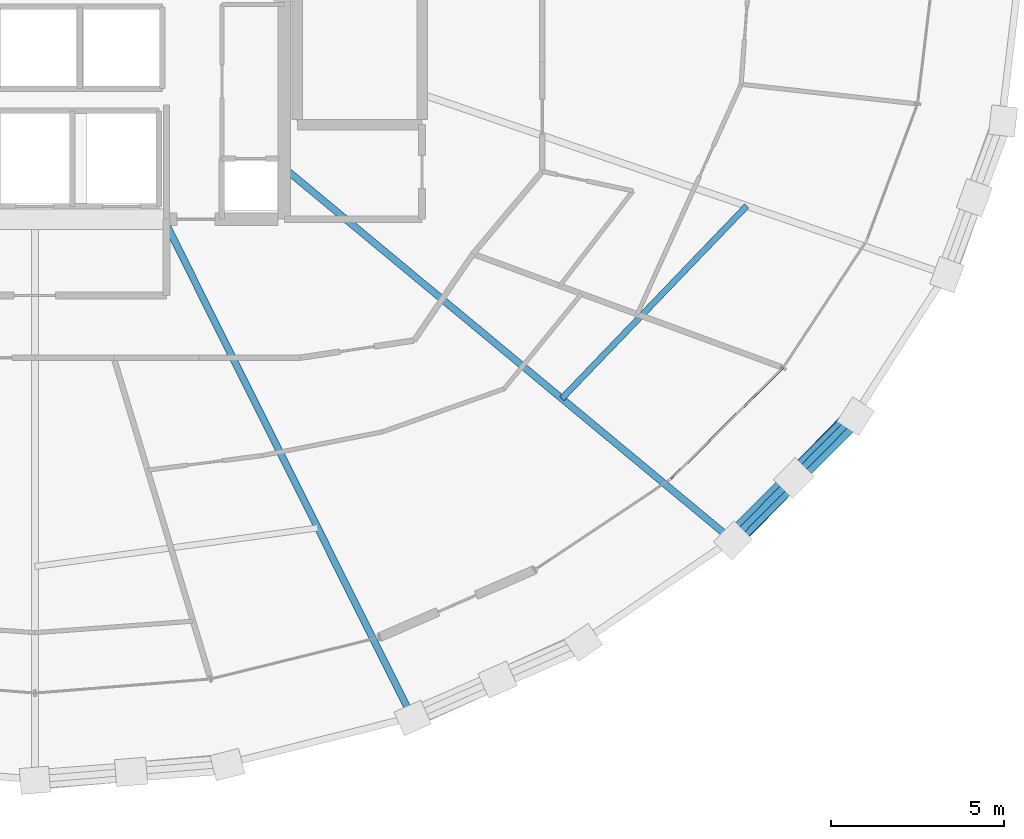
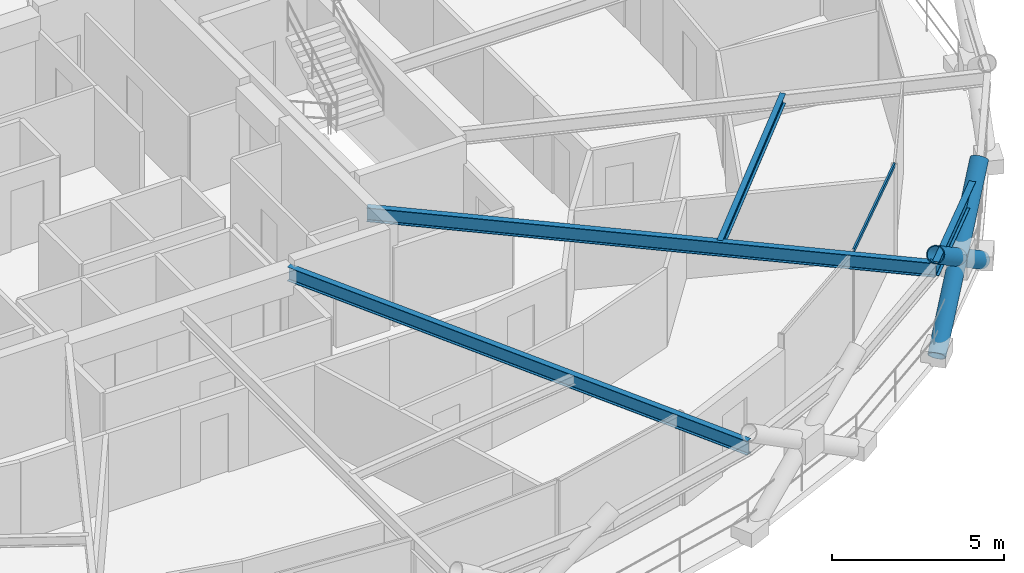
# One storey, part 6 of 21: 4 beams, 4 members, 1 element without a shape of its own.
"""IFC4 building model written with IfcOpenShell, lengths in metres."""

from ifc_helpers import new_model, si_unit, direction, frame, origin, origin_2d, place, context, subcontext, project, spatial, hollow_rectangle, hollow_circle, i_section, extrude, material, layer, layer_set, material_profile, profile_set, type_object, element, aggregate, save


model = new_model("IFC4")

# Units and contexts
model_context = context("Model", 3, precision=1e-05, world=origin(), true_north=direction((0.0, 1.0)))
body_context = subcontext(model_context, "Body", "Model", "MODEL_VIEW")
ifc_project = project(units=[si_unit("LENGTHUNIT", "METRE"), si_unit("AREAUNIT", "SQUARE_METRE"), si_unit("VOLUMEUNIT", "CUBIC_METRE"), si_unit("PLANEANGLEUNIT", "RADIAN"), si_unit("MASSUNIT", "GRAM", prefix="KILO")], contexts=[model_context])

# Site, building, storey
site_placement = place(None, origin())
site = spatial("IfcSite", under=ifc_project, at=site_placement, CompositionType="ELEMENT")
building_placement = place(site_placement, origin())
building = spatial("IfcBuilding", under=site, at=building_placement, Name="Veldorina Hangang Commons", CompositionType="ELEMENT")
storey_placement = place(building_placement, frame((0.0, 0.0, 135.199951171875)))
storey = spatial("IfcBuildingStorey", under=building, at=storey_placement, Name="L34", CompositionType="ELEMENT", Elevation=135.199951171875)

# Beams
ifc_material_1 = material(Name="Steel SM420-TMC", Category="steel")
ifc_material_profile_1 = material_profile(ifc_material_1, i_section(OverallWidth=0.199951171875, OverallDepth=0.5, WebThickness=0.010009765625, FlangeThickness=0.01611328125, FilletRadius=0.01611328125, at=origin_2d()), Name="H-500x200x10x16")
ifc_profile_set_1 = profile_set([ifc_material_profile_1], Name="Steel SM420-TMC")
beam_type_1 = type_object("IfcBeamType", Name="BM-FG500", PredefinedType="BEAM", material=ifc_profile_set_1)
beam_1_placement = place(storey_placement, frame((35.718017578125, 16.550048828125, 3.10009765625), z_axis=(0.44653882816, -0.894764256631, 0.0), x_axis=(0.894764256631, 0.44653882816, 0.0)))
element("IfcBeam", 1, at=beam_1_placement, inside=storey, type_object=beam_type_1, Name="L34 radial floor girder 14", PredefinedType="BEAM", context=body_context, shape_type="SweptSolid", body=[
    extrude(i_section(OverallWidth=0.199951171875, OverallDepth=0.5, WebThickness=0.010009765625, FlangeThickness=0.01611328125, FilletRadius=0.01611328125, at=origin_2d()), origin(), (0.0, 0.0, 1.0), 16.067626953125),
])
beam_2_placement = place(storey_placement, frame((39.199951171875, 18.024169921875, 3.10009765625), z_axis=(0.769484803772, -0.638665120986, 0.0), x_axis=(0.638665120986, 0.769484803772, 0.0)))
element("IfcBeam", 2, at=beam_2_placement, inside=storey, type_object=beam_type_1, Name="L34 radial floor girder 15", PredefinedType="BEAM", context=body_context, shape_type="SweptSolid", body=[
    extrude(i_section(OverallWidth=0.199951171875, OverallDepth=0.5, WebThickness=0.010009765625, FlangeThickness=0.01611328125, FilletRadius=0.01611328125, at=origin_2d()), origin(), (0.0, 0.0, 1.0), 16.7998046875),
])
ifc_material_2 = material(Name="Steel SM355-TMC", Category="steel")
ifc_material_profile_2 = material_profile(ifc_material_2, i_section(OverallWidth=0.175048828125, OverallDepth=0.35009765625, WebThickness=0.007080078125, FlangeThickness=0.010986328125, FilletRadius=0.012939453125, at=origin_2d()), Name="H-350x175x7x11")
ifc_profile_set_2 = profile_set([ifc_material_profile_2], Name="Steel SM355-TMC")
beam_type_2 = type_object("IfcBeamType", Name="BM-JST350", PredefinedType="JOIST", material=ifc_profile_set_2)
beam_3_placement = place(storey_placement, frame((47.21484375, 11.371826171875, 3.175048828125), z_axis=(0.69240524806, 0.721508816619, 0.0), x_axis=(-0.721508816619, 0.69240524806, 0.0)))
element("IfcBeam", 3, at=beam_3_placement, inside=storey, type_object=beam_type_2, Name="L34 secondary floor joist 15", PredefinedType="JOIST", context=body_context, shape_type="SweptSolid", body=[
    extrude(i_section(OverallWidth=0.175048828125, OverallDepth=0.35009765625, WebThickness=0.007080078125, FlangeThickness=0.010986328125, FilletRadius=0.012939453125, at=origin_2d()), origin(), (0.0, 0.0, 1.0), 7.709228515625),
])
ifc_material_profile_3 = material_profile(ifc_material_1, i_section(OverallWidth=0.199951171875, OverallDepth=0.5, WebThickness=0.010009765625, FlangeThickness=0.01611328125, FilletRadius=0.01611328125, at=origin_2d()), Name="H-500x200x10x16")
ifc_profile_set_3 = profile_set([ifc_material_profile_3], Name="Steel SM420-TMC")
beam_type_3 = type_object("IfcBeamType", Name="BM-RB500", PredefinedType="BEAM", material=ifc_profile_set_3)
beam_4_placement = place(storey_placement, frame((52.127197265625, 7.294677734375, 3.10009765625), z_axis=(0.703119340183, 0.711071862375, 0.0), x_axis=(-0.711071862375, 0.703119340183, 0.0)))
element("IfcBeam", 4, at=beam_4_placement, inside=storey, type_object=beam_type_3, Name="L34 perimeter hoop ring beam 28", PredefinedType="BEAM", context=body_context, shape_type="SweptSolid", body=[
    extrude(i_section(OverallWidth=0.199951171875, OverallDepth=0.5, WebThickness=0.010009765625, FlangeThickness=0.01611328125, FilletRadius=0.01611328125, at=origin_2d()), origin(), (0.0, 0.0, 1.0), 5.03466796875),
])

# Curtain wall, member
ifc_material_3 = material(Name="Glass Low-E Triple IGU", Category="glass")
ifc_layer = layer(ifc_material_3, 0.179931640625)
ifc_layer_set = layer_set([ifc_layer], Name="Glass Low-E Triple IGU")
curtain_wall_type = type_object("IfcCurtainWallType", Name="CW-SYS-Z2", PredefinedType="NOTDEFINED", material=ifc_layer_set)
curtain_wall_placement = place(storey_placement, origin())
curtain_wall = element("IfcCurtainWall", 5, at=curtain_wall_placement, inside=storey, type_object=curtain_wall_type, Name="L34 unitised curtain wall CW-L34-R2", PredefinedType="NOTDEFINED")
ifc_material_4 = material(Name="Aluminium Anodized AA6063-T6", Category="aluminium")
ifc_material_profile_4 = material_profile(ifc_material_4, hollow_rectangle(XDim=0.06005859375, YDim=0.139892578125, WallThickness=0.00341796875, at=origin_2d()), Name="ALU-RHS-140x60x3.5")
ifc_profile_set_4 = profile_set([ifc_material_profile_4], Name="Aluminium Anodized AA6063-T6")
member_type_1 = type_object("IfcMemberType", Name="CW-TRN-140", PredefinedType="USERDEFINED", material=ifc_profile_set_4)
member_1_placement = place(storey_placement, frame((50.37158203125, 9.05810546875, 3.27001953125), z_axis=(0.71029280269, 0.703906339258, 0.0), x_axis=(-0.703906339258, 0.71029280269, 0.0)))
member_1 = element("IfcMember", 6, at=member_1_placement, type_object=member_type_1, Name="CW-L34-R2 facet 2 transom 1", ObjectType="TRANSOM", PredefinedType="USERDEFINED", context=body_context, shape_type="SweptSolid", body=[
    extrude(hollow_rectangle(XDim=0.06005859375, YDim=0.139892578125, WallThickness=0.00341796875, at=origin_2d()), origin(), (0.0, 0.0, 1.0), 4.549072265625),
])
aggregate(curtain_wall, [member_1])

# Members
ifc_material_profile_5 = material_profile(ifc_material_1, hollow_circle(Radius=0.27490234375, WallThickness=0.028076171875, at=origin_2d()), Name="CHS-550x28")
ifc_profile_set_5 = profile_set([ifc_material_profile_5], Name="Steel SM420-TMC")
member_type_2 = type_object("IfcMemberType", Name="DG-CHS550", PredefinedType="BRACE", material=ifc_profile_set_5)
member_2_placement = place(storey_placement, frame((52.153564453125, 7.2763671875, 0.0), z_axis=(0.567410770104, 0.582295876243, 0.582216910163), x_axis=(-0.716201580119, 0.697893470836, 0.0)))
element("IfcMember", 7, at=member_2_placement, inside=storey, type_object=member_type_2, Name="L34 continuous perimeter diagrid brace 28", PredefinedType="BRACE", context=body_context, shape_type="SweptSolid", body=[
    extrude(hollow_circle(Radius=0.27490234375, WallThickness=0.028076171875, at=origin_2d()), origin(), (0.0, 0.0, 1.0), 6.183349609375),
])
member_3_placement = place(storey_placement, frame((55.697998046875, 10.8603515625, 0.0), z_axis=(-0.576688886735, -0.574642495162, 0.580702962513), x_axis=(0.705848845317, -0.708362483172, 0.0)))
element("IfcMember", 8, at=member_3_placement, inside=storey, type_object=member_type_2, Name="L34 split perimeter diagrid lower brace 29", PredefinedType="BRACE", context=body_context, shape_type="SweptSolid", body=[
    extrude(hollow_circle(Radius=0.27490234375, WallThickness=0.028076171875, at=origin_2d()), origin(), (0.0, 0.0, 1.0), 3.101806640625),
])
member_4_placement = place(storey_placement, frame((53.9091796875, 9.077880859375, 1.80126953125), z_axis=(-0.576609251113, -0.574717695341, 0.580707621952), x_axis=(0.705944097685, -0.708267556043, 0.0)))
element("IfcMember", 9, at=member_4_placement, inside=storey, type_object=member_type_2, Name="L34 split perimeter diagrid upper brace 29", PredefinedType="BRACE", context=body_context, shape_type="SweptSolid", body=[
    extrude(hollow_circle(Radius=0.27490234375, WallThickness=0.028076171875, at=origin_2d()), origin(), (0.0, 0.0, 1.0), 3.09765625),
])

save(model, "model.ifc")
